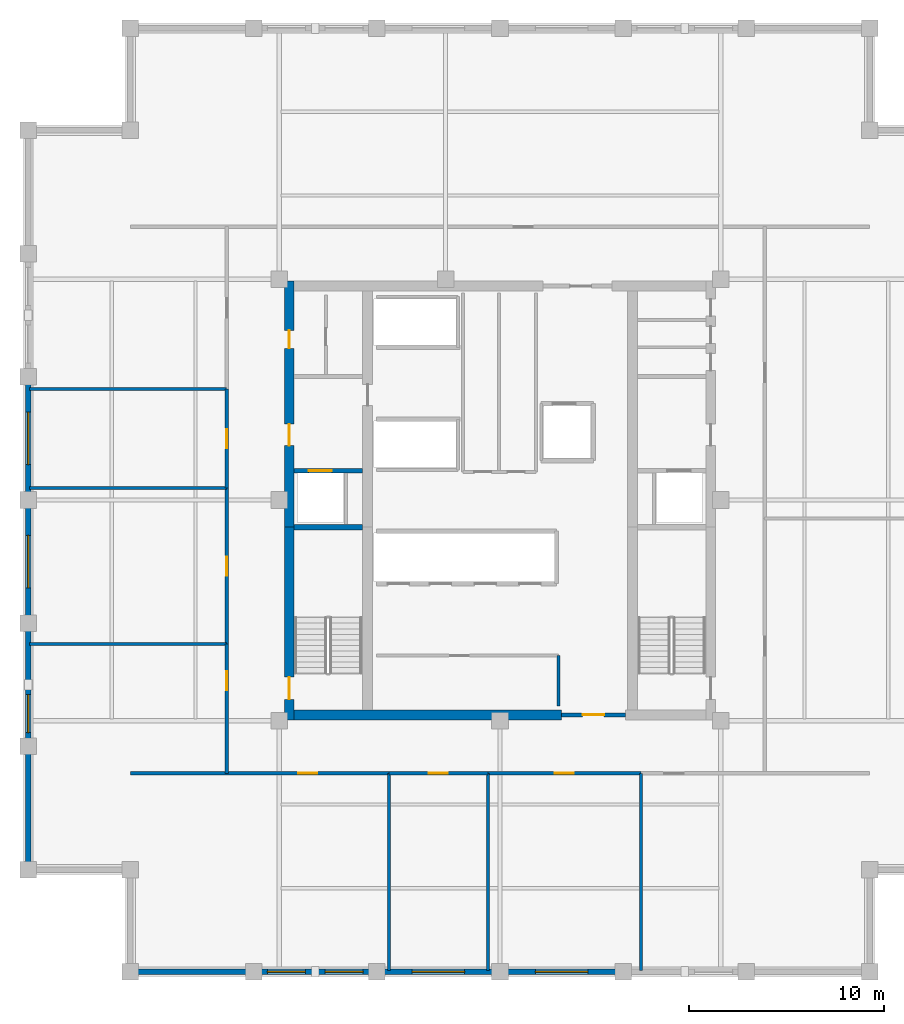
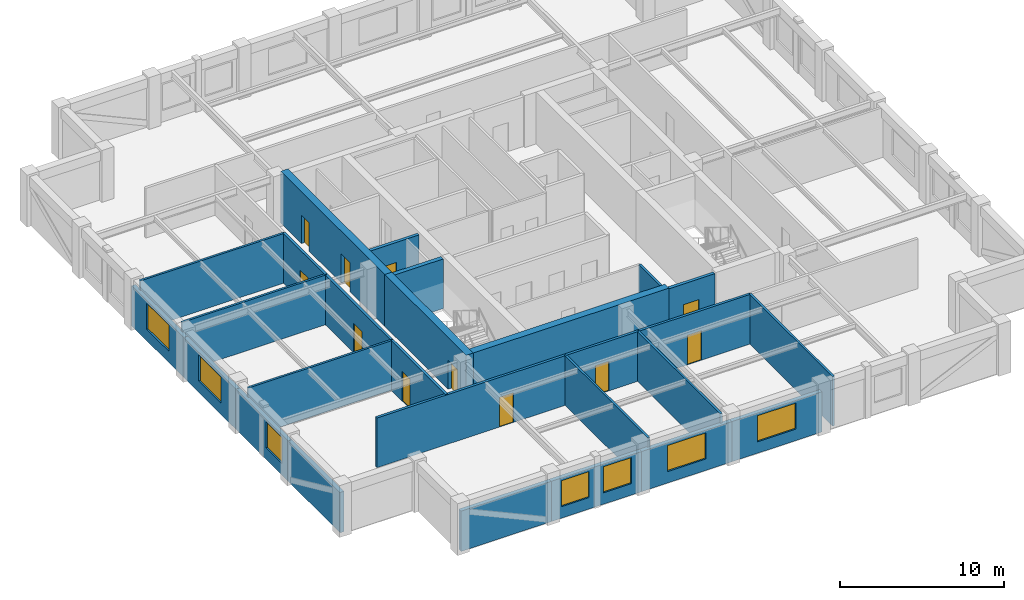
# One storey, part 2 of 6: 27 walls, 11 doors, 7 windows, 18 openings.
"""IFC4 building model written with IfcOpenShell, lengths in metres."""

from ifc_helpers import new_model, si_unit, direction, frame, frame_2d, origin, place, context, subcontext, project, spatial, rectangle, extrude, material, layer, layer_set, type_object, element, fill, save


model = new_model("IFC4")

# Units and contexts
model_context = context("Model", 3, precision=1e-05, world=origin(), true_north=direction((0.0, 1.0)))
body_context = subcontext(model_context, "Body", "Model", "MODEL_VIEW")
ifc_project = project(units=[si_unit("LENGTHUNIT", "METRE"), si_unit("AREAUNIT", "SQUARE_METRE"), si_unit("VOLUMEUNIT", "CUBIC_METRE"), si_unit("PLANEANGLEUNIT", "RADIAN"), si_unit("MASSUNIT", "GRAM", prefix="KILO")], contexts=[model_context])

# Site, building, storey
site_placement = place(None, origin())
site = spatial("IfcSite", under=ifc_project, at=site_placement, CompositionType="ELEMENT")
building_placement = place(site_placement, origin())
building = spatial("IfcBuilding", under=site, at=building_placement, Name="Nhamokura Convention Tower", CompositionType="ELEMENT")
storey_placement = place(building_placement, frame((0.0, 0.0, 225.39990234375)))
storey = spatial("IfcBuildingStorey", under=building, at=storey_placement, Name="L55", CompositionType="ELEMENT", Elevation=225.39990234375)

# Wall
ifc_material_1 = material(Name="Bronze-pigmented precast concrete C45/55", Category="concrete")
ifc_layer_1 = layer(ifc_material_1, 0.280029296875)
ifc_layer_set_1 = layer_set([ifc_layer_1], Name="BronzePrecastSpandrel_280")
wall_type_1 = type_object("IfcWallType", Name="BronzePrecastSpandrel_280", PredefinedType="USERDEFINED", material=ifc_layer_set_1)
wall_1_placement = place(storey_placement, frame((19.333251953125, 7.75, 0.0), z_axis=(0.0, 0.0, 1.0), x_axis=(-1.0, 0.0, 0.0)))
element("IfcWall", 1, at=wall_1_placement, inside=storey, type_object=wall_type_1, Name="L55 Braced-Bay Precast Wall SOUTH 0", ObjectType="SPANDREL_WALL", PredefinedType="USERDEFINED", context=body_context, shape_type="SweptSolid", body=[
    extrude(rectangle(XDim=6.333251953125, YDim=0.280029296875, at=frame_2d((3.16650390625, 0.0))), origin(), (0.0, 0.0, 1.0), 2.985107421875),
])

# Wall, openings, windows
wall_2_placement = place(storey_placement, frame((25.666748046875, 7.75, 0.0), z_axis=(0.0, 0.0, 1.0), x_axis=(-1.0, 0.0, 0.0)))
wall_2 = element("IfcWall", 2, at=wall_2_placement, inside=storey, type_object=wall_type_1, Name="L55 Masonry-Frame Wall SOUTH 1", ObjectType="SPANDREL_WALL", PredefinedType="USERDEFINED", context=body_context, shape_type="SweptSolid", body=[
    extrude(rectangle(XDim=6.33349609375, YDim=0.280029296875, at=frame_2d((3.166748046875, 0.0))), origin(), (0.0, 0.0, 1.0), 2.985107421875),
])
opening_1_placement = place(wall_2_placement, frame((0.708251953125, 0.0, 0.85009765625)))
opening_1 = element("IfcOpeningElement", 3, at=opening_1_placement, cuts=wall_2, Name="Opening W-08", PredefinedType="OPENING", context=body_context, shape_type="SweptSolid", body=[
    extrude(rectangle(XDim=1.949951171875, YDim=1.93505859375, at=frame_2d((0.97509765625, 0.967529296875))), frame((0.0, 0.14990234375, 0.0), z_axis=(0.0, -1.0, 0.0), x_axis=(1.0, 0.0, 0.0)), (0.0, 0.0, 1.0), 0.300048828125),
])
opening_2_placement = place(wall_2_placement, frame((3.675048828125, 0.0, 0.85009765625)))
opening_2 = element("IfcOpeningElement", 4, at=opening_2_placement, cuts=wall_2, Name="Opening W-08", PredefinedType="OPENING", context=body_context, shape_type="SweptSolid", body=[
    extrude(rectangle(XDim=1.949951171875, YDim=1.93505859375, at=frame_2d((0.97509765625, 0.967529296875))), frame((0.0, 0.14990234375, 0.0), z_axis=(0.0, -1.0, 0.0), x_axis=(1.0, 0.0, 0.0)), (0.0, 0.0, 1.0), 0.300048828125),
])
ifc_material_2 = material(Name="Solar-control bronze low-E double glass", Category="glass")
window_type_1 = type_object("IfcWindowType", Name="OfficeModuleWindow_Z3_1950", PartitioningType="SINGLE_PANEL", PredefinedType="WINDOW", material=ifc_material_2)
window_1_placement = place(opening_1_placement, origin())
window_1 = element("IfcWindow", 5, at=window_1_placement, inside=storey, type_object=window_type_1, Name="L55 Facade Window SOUTH 1-1", OverallHeight=1.93505859375, OverallWidth=1.949951171875, PartitioningType="SINGLE_PANEL", PredefinedType="WINDOW", context=body_context, shape_type="SweptSolid", body=[
    extrude(rectangle(XDim=1.949951171875, YDim=1.93505859375, at=frame_2d((0.97509765625, 0.967529296875))), frame((0.0, 0.030029296875, 0.0), z_axis=(0.0, -1.0, 0.0), x_axis=(1.0, 0.0, 0.0)), (0.0, 0.0, 1.0), 0.06005859375),
])
fill(opening_1, window_1)
window_2_placement = place(opening_2_placement, origin())
window_2 = element("IfcWindow", 6, at=window_2_placement, inside=storey, type_object=window_type_1, Name="L55 Facade Window SOUTH 1-2", OverallHeight=1.93505859375, OverallWidth=1.949951171875, PartitioningType="SINGLE_PANEL", PredefinedType="WINDOW", context=body_context, shape_type="SweptSolid", body=[
    extrude(rectangle(XDim=1.949951171875, YDim=1.93505859375, at=frame_2d((0.97509765625, 0.967529296875))), frame((0.0, 0.030029296875, 0.0), z_axis=(0.0, -1.0, 0.0), x_axis=(1.0, 0.0, 0.0)), (0.0, 0.0, 1.0), 0.06005859375),
])
fill(opening_2, window_2)

# Wall, opening, window
wall_3_placement = place(storey_placement, frame((32.0, 7.75, 0.0), z_axis=(0.0, 0.0, 1.0), x_axis=(-1.0, 0.0, 0.0)))
wall_3 = element("IfcWall", 7, at=wall_3_placement, inside=storey, type_object=wall_type_1, Name="L55 Masonry-Frame Wall SOUTH 2", ObjectType="SPANDREL_WALL", PredefinedType="USERDEFINED", context=body_context, shape_type="SweptSolid", body=[
    extrude(rectangle(XDim=6.333251953125, YDim=0.280029296875, at=frame_2d((3.16650390625, 0.0))), origin(), (0.0, 0.0, 1.0), 2.985107421875),
])
opening_3_placement = place(wall_3_placement, frame((1.816650390625, 0.0, 0.85009765625)))
opening_3 = element("IfcOpeningElement", 8, at=opening_3_placement, cuts=wall_3, Name="Opening W-07", PredefinedType="OPENING", context=body_context, shape_type="SweptSolid", body=[
    extrude(rectangle(XDim=2.699951171875, YDim=1.93505859375, at=frame_2d((1.35009765625, 0.967529296875))), frame((0.0, 0.14990234375, 0.0), z_axis=(0.0, -1.0, 0.0), x_axis=(1.0, 0.0, 0.0)), (0.0, 0.0, 1.0), 0.300048828125),
])
ifc_material_3 = material(Name="Solar-control bronze low-E double glass", Category="glass")
window_type_2 = type_object("IfcWindowType", Name="OfficeModuleWindow_Z3_2700", PartitioningType="DOUBLE_PANEL_VERTICAL", PredefinedType="WINDOW", material=ifc_material_3)
window_3_placement = place(opening_3_placement, origin())
window_3 = element("IfcWindow", 9, at=window_3_placement, inside=storey, type_object=window_type_2, Name="L55 Facade Window SOUTH 2", OverallHeight=1.93505859375, OverallWidth=2.699951171875, PartitioningType="SINGLE_PANEL", PredefinedType="WINDOW", context=body_context, shape_type="SweptSolid", body=[
    extrude(rectangle(XDim=2.699951171875, YDim=1.93505859375, at=frame_2d((1.35009765625, 0.967529296875))), frame((0.0, 0.030029296875, 0.0), z_axis=(0.0, -1.0, 0.0), x_axis=(1.0, 0.0, 0.0)), (0.0, 0.0, 1.0), 0.06005859375),
])
fill(opening_3, window_3)

wall_4_placement = place(storey_placement, frame((38.333251953125, 7.75, 0.0), z_axis=(0.0, 0.0, 1.0), x_axis=(-1.0, 0.0, 0.0)))
wall_4 = element("IfcWall", 10, at=wall_4_placement, inside=storey, type_object=wall_type_1, Name="L55 Masonry-Frame Wall SOUTH 3", ObjectType="SPANDREL_WALL", PredefinedType="USERDEFINED", context=body_context, shape_type="SweptSolid", body=[
    extrude(rectangle(XDim=6.333251953125, YDim=0.280029296875, at=frame_2d((3.16650390625, 0.0))), origin(), (0.0, 0.0, 1.0), 2.985107421875),
])
opening_4_placement = place(wall_4_placement, frame((1.816650390625, 0.0, 0.85009765625)))
opening_4 = element("IfcOpeningElement", 11, at=opening_4_placement, cuts=wall_4, Name="Opening W-07", PredefinedType="OPENING", context=body_context, shape_type="SweptSolid", body=[
    extrude(rectangle(XDim=2.699951171875, YDim=1.93505859375, at=frame_2d((1.35009765625, 0.967529296875))), frame((0.0, 0.14990234375, 0.0), z_axis=(0.0, -1.0, 0.0), x_axis=(1.0, 0.0, 0.0)), (0.0, 0.0, 1.0), 0.300048828125),
])
window_4_placement = place(opening_4_placement, origin())
window_4 = element("IfcWindow", 12, at=window_4_placement, inside=storey, type_object=window_type_2, Name="L55 Facade Window SOUTH 3", OverallHeight=1.93505859375, OverallWidth=2.699951171875, PartitioningType="SINGLE_PANEL", PredefinedType="WINDOW", context=body_context, shape_type="SweptSolid", body=[
    extrude(rectangle(XDim=2.699951171875, YDim=1.93505859375, at=frame_2d((1.35009765625, 0.967529296875))), frame((0.0, 0.030029296875, 0.0), z_axis=(0.0, -1.0, 0.0), x_axis=(1.0, 0.0, 0.0)), (0.0, 0.0, 1.0), 0.06005859375),
])
fill(opening_4, window_4)

# Wall
wall_5_placement = place(storey_placement, frame((7.75, 13.0, 0.0), z_axis=(0.0, 0.0, 1.0), x_axis=(0.0, 1.0, 0.0)))
element("IfcWall", 13, at=wall_5_placement, inside=storey, type_object=wall_type_1, Name="L55 Braced-Bay Precast Wall WEST 0", ObjectType="SPANDREL_WALL", PredefinedType="USERDEFINED", context=body_context, shape_type="SweptSolid", body=[
    extrude(rectangle(XDim=6.333251953125, YDim=0.280029296875, at=frame_2d((3.16650390625, 0.0))), origin(), (0.0, 0.0, 1.0), 2.985107421875),
])

# Wall, opening, window
wall_6_placement = place(storey_placement, frame((7.75, 19.333251953125, 0.0), z_axis=(0.0, 0.0, 1.0), x_axis=(0.0, 1.0, 0.0)))
wall_6 = element("IfcWall", 14, at=wall_6_placement, inside=storey, type_object=wall_type_1, Name="L55 Masonry-Frame Wall WEST 1", ObjectType="SPANDREL_WALL", PredefinedType="USERDEFINED", context=body_context, shape_type="SweptSolid", body=[
    extrude(rectangle(XDim=6.33349609375, YDim=0.280029296875, at=frame_2d((3.166748046875, 0.0))), origin(), (0.0, 0.0, 1.0), 2.985107421875),
])
opening_5_placement = place(wall_6_placement, frame((0.708251953125, 0.0, 0.85009765625)))
opening_5 = element("IfcOpeningElement", 15, at=opening_5_placement, cuts=wall_6, Name="Opening W-08", PredefinedType="OPENING", context=body_context, shape_type="SweptSolid", body=[
    extrude(rectangle(XDim=1.949951171875, YDim=1.93505859375, at=frame_2d((0.97509765625, 0.967529296875))), frame((0.0, 0.14990234375, 0.0), z_axis=(0.0, -1.0, 0.0), x_axis=(1.0, 0.0, 0.0)), (0.0, 0.0, 1.0), 0.300048828125),
])
window_5_placement = place(opening_5_placement, origin())
window_5 = element("IfcWindow", 16, at=window_5_placement, inside=storey, type_object=window_type_1, Name="L55 Facade Window WEST 1-1", OverallHeight=1.93505859375, OverallWidth=1.949951171875, PartitioningType="SINGLE_PANEL", PredefinedType="WINDOW", context=body_context, shape_type="SweptSolid", body=[
    extrude(rectangle(XDim=1.949951171875, YDim=1.93505859375, at=frame_2d((0.97509765625, 0.967529296875))), frame((0.0, 0.030029296875, 0.0), z_axis=(0.0, -1.0, 0.0), x_axis=(1.0, 0.0, 0.0)), (0.0, 0.0, 1.0), 0.06005859375),
])
fill(opening_5, window_5)

wall_7_placement = place(storey_placement, frame((7.75, 25.666748046875, 0.0), z_axis=(0.0, 0.0, 1.0), x_axis=(0.0, 1.0, 0.0)))
wall_7 = element("IfcWall", 17, at=wall_7_placement, inside=storey, type_object=wall_type_1, Name="L55 Masonry-Frame Wall WEST 2", ObjectType="SPANDREL_WALL", PredefinedType="USERDEFINED", context=body_context, shape_type="SweptSolid", body=[
    extrude(rectangle(XDim=6.333251953125, YDim=0.280029296875, at=frame_2d((3.16650390625, 0.0))), origin(), (0.0, 0.0, 1.0), 2.985107421875),
])
opening_6_placement = place(wall_7_placement, frame((1.816650390625, 0.0, 0.85009765625)))
opening_6 = element("IfcOpeningElement", 18, at=opening_6_placement, cuts=wall_7, Name="Opening W-07", PredefinedType="OPENING", context=body_context, shape_type="SweptSolid", body=[
    extrude(rectangle(XDim=2.699951171875, YDim=1.93505859375, at=frame_2d((1.35009765625, 0.967529296875))), frame((0.0, 0.14990234375, 0.0), z_axis=(0.0, -1.0, 0.0), x_axis=(1.0, 0.0, 0.0)), (0.0, 0.0, 1.0), 0.300048828125),
])
window_6_placement = place(opening_6_placement, origin())
window_6 = element("IfcWindow", 19, at=window_6_placement, inside=storey, type_object=window_type_2, Name="L55 Facade Window WEST 2", OverallHeight=1.93505859375, OverallWidth=2.699951171875, PartitioningType="SINGLE_PANEL", PredefinedType="WINDOW", context=body_context, shape_type="SweptSolid", body=[
    extrude(rectangle(XDim=2.699951171875, YDim=1.93505859375, at=frame_2d((1.35009765625, 0.967529296875))), frame((0.0, 0.030029296875, 0.0), z_axis=(0.0, -1.0, 0.0), x_axis=(1.0, 0.0, 0.0)), (0.0, 0.0, 1.0), 0.06005859375),
])
fill(opening_6, window_6)

wall_8_placement = place(storey_placement, frame((7.75, 32.0, 0.0), z_axis=(0.0, 0.0, 1.0), x_axis=(0.0, 1.0, 0.0)))
wall_8 = element("IfcWall", 20, at=wall_8_placement, inside=storey, type_object=wall_type_1, Name="L55 Masonry-Frame Wall WEST 3", ObjectType="SPANDREL_WALL", PredefinedType="USERDEFINED", context=body_context, shape_type="SweptSolid", body=[
    extrude(rectangle(XDim=6.333251953125, YDim=0.280029296875, at=frame_2d((3.16650390625, 0.0))), origin(), (0.0, 0.0, 1.0), 2.985107421875),
])
opening_7_placement = place(wall_8_placement, frame((1.816650390625, 0.0, 0.85009765625)))
opening_7 = element("IfcOpeningElement", 21, at=opening_7_placement, cuts=wall_8, Name="Opening W-07", PredefinedType="OPENING", context=body_context, shape_type="SweptSolid", body=[
    extrude(rectangle(XDim=2.699951171875, YDim=1.93505859375, at=frame_2d((1.35009765625, 0.967529296875))), frame((0.0, 0.14990234375, 0.0), z_axis=(0.0, -1.0, 0.0), x_axis=(1.0, 0.0, 0.0)), (0.0, 0.0, 1.0), 0.300048828125),
])
window_7_placement = place(opening_7_placement, origin())
window_7 = element("IfcWindow", 22, at=window_7_placement, inside=storey, type_object=window_type_2, Name="L55 Facade Window WEST 3", OverallHeight=1.93505859375, OverallWidth=2.699951171875, PartitioningType="SINGLE_PANEL", PredefinedType="WINDOW", context=body_context, shape_type="SweptSolid", body=[
    extrude(rectangle(XDim=2.699951171875, YDim=1.93505859375, at=frame_2d((1.35009765625, 0.967529296875))), frame((0.0, 0.030029296875, 0.0), z_axis=(0.0, -1.0, 0.0), x_axis=(1.0, 0.0, 0.0)), (0.0, 0.0, 1.0), 0.06005859375),
])
fill(opening_7, window_7)

# Wall, opening, door
ifc_material_4 = material(Name="Concrete C60/75", Category="concrete")
ifc_layer_2 = layer(ifc_material_4, 0.5)
ifc_layer_set_2 = layer_set([ifc_layer_2], Name="CoreShearWall_500")
wall_type_2 = type_object("IfcWallType", Name="CoreShearWall_500", PredefinedType="SHEAR", material=ifc_layer_set_2)
wall_9_placement = place(storey_placement, frame((21.159912109375, 20.699951171875, 0.0), z_axis=(0.0, 0.0, 1.0), x_axis=(0.0, 1.0, 0.0)))
wall_9 = element("IfcWall", 23, at=wall_9_placement, inside=storey, type_object=wall_type_2, Name="L55 Core Shear Wall CW-WS", PredefinedType="SHEAR", context=body_context, shape_type="SweptSolid", body=[
    extrude(rectangle(XDim=9.900146484375, YDim=0.5, at=frame_2d((4.9501953125, 0.0))), origin(), (0.0, 0.0, 1.0), 3.85009765625),
])
opening_8_placement = place(wall_9_placement, frame((1.050048828125, 0.0, 0.0)))
opening_8 = element("IfcOpeningElement", 24, at=opening_8_placement, cuts=wall_9, Name="Opening D-04", PredefinedType="OPENING", context=body_context, shape_type="SweptSolid", body=[
    extrude(rectangle(XDim=1.14990234375, YDim=2.14990234375, at=frame_2d((0.574951171875, 1.074951171875))), frame((0.0, 0.260009765625, 0.0), z_axis=(0.0, -1.0, 0.0), x_axis=(1.0, 0.0, 0.0)), (0.0, 0.0, 1.0), 0.52001953125),
])
ifc_material_5 = material(Name="Fire-rated steel door", Category="steel")
door_type_1 = type_object("IfcDoorType", Name="StairSmokeDoor_1150", OperationType="NOTDEFINED", PredefinedType="DOOR", material=ifc_material_5)
door_1_placement = place(opening_8_placement, origin())
door_1 = element("IfcDoor", 25, at=door_1_placement, inside=storey, type_object=door_type_1, Name="L55 Core Door INT-L55-D-ST01", OperationType="SINGLE_SWING_LEFT", OverallHeight=2.14990234375, OverallWidth=1.14990234375, PredefinedType="DOOR", context=body_context, shape_type="SweptSolid", body=[
    extrude(rectangle(XDim=1.14990234375, YDim=2.14990234375, at=frame_2d((0.574951171875, 1.074951171875))), frame((0.0, 0.02490234375, 0.0), z_axis=(0.0, -1.0, 0.0), x_axis=(1.0, 0.0, 0.0)), (0.0, 0.0, 1.0), 0.050048828125),
])
fill(opening_8, door_1)

# Wall, openings, doors
wall_10_placement = place(storey_placement, frame((21.159912109375, 30.60009765625, 0.0), z_axis=(0.0, 0.0, 1.0), x_axis=(0.0, 1.0, 0.0)))
wall_10 = element("IfcWall", 26, at=wall_10_placement, inside=storey, type_object=wall_type_2, Name="L55 Core Shear Wall CW-WN", PredefinedType="SHEAR", context=body_context, shape_type="SweptSolid", body=[
    extrude(rectangle(XDim=12.64990234375, YDim=0.5, at=frame_2d((6.324951171875, 0.0))), origin(), (0.0, 0.0, 1.0), 3.85009765625),
])
opening_9_placement = place(wall_10_placement, frame((4.199951171875, 0.0, 0.0)))
opening_9 = element("IfcOpeningElement", 27, at=opening_9_placement, cuts=wall_10, Name="Opening D-05", PredefinedType="OPENING", context=body_context, shape_type="SweptSolid", body=[
    extrude(rectangle(XDim=1.10009765625, YDim=2.14990234375, at=frame_2d((0.550048828125, 1.074951171875))), frame((0.0, 0.260009765625, 0.0), z_axis=(0.0, -1.0, 0.0), x_axis=(1.0, 0.0, 0.0)), (0.0, 0.0, 1.0), 0.52001953125),
])
opening_10_placement = place(wall_10_placement, frame((9.199951171875, 0.0, 0.0)))
opening_10 = element("IfcOpeningElement", 28, at=opening_10_placement, cuts=wall_10, Name="Opening D-10", PredefinedType="OPENING", context=body_context, shape_type="SweptSolid", body=[
    extrude(rectangle(XDim=0.919921875, YDim=2.10009765625, at=frame_2d((0.4599609375, 1.050048828125))), frame((0.0, 0.260009765625, 0.0), z_axis=(0.0, -1.0, 0.0), x_axis=(1.0, 0.0, 0.0)), (0.0, 0.0, 1.0), 0.52001953125),
])
ifc_material_6 = material(Name="Solid oak hardwood", Category="wood")
door_type_2 = type_object("IfcDoorType", Name="AccessibleWCDoor_920", OperationType="NOTDEFINED", PredefinedType="DOOR", material=ifc_material_6)
door_2_placement = place(opening_10_placement, origin())
door_2 = element("IfcDoor", 29, at=door_2_placement, inside=storey, type_object=door_type_2, Name="L55 Core Door INT-L55-D-AWCW", OperationType="SINGLE_SWING_RIGHT", OverallHeight=2.10009765625, OverallWidth=0.919921875, PredefinedType="DOOR", context=body_context, shape_type="SweptSolid", body=[
    extrude(rectangle(XDim=0.919921875, YDim=2.10009765625, at=frame_2d((0.4599609375, 1.050048828125))), frame((0.0, 0.02490234375, 0.0), z_axis=(0.0, -1.0, 0.0), x_axis=(1.0, 0.0, 0.0)), (0.0, 0.0, 1.0), 0.050048828125),
])
fill(opening_10, door_2)
ifc_material_7 = material(Name="Fire-rated steel door", Category="steel")
door_type_3 = type_object("IfcDoorType", Name="FireLobbyDoor_1100", OperationType="NOTDEFINED", PredefinedType="DOOR", material=ifc_material_7)
door_3_placement = place(opening_9_placement, origin())
door_3 = element("IfcDoor", 30, at=door_3_placement, inside=storey, type_object=door_type_3, Name="L55 Core Door INT-L55-D-FFLW", OperationType="SINGLE_SWING_RIGHT", OverallHeight=2.14990234375, OverallWidth=1.10009765625, PredefinedType="DOOR", context=body_context, shape_type="SweptSolid", body=[
    extrude(rectangle(XDim=1.10009765625, YDim=2.14990234375, at=frame_2d((0.550048828125, 1.074951171875))), frame((0.0, 0.02490234375, 0.0), z_axis=(0.0, -1.0, 0.0), x_axis=(1.0, 0.0, 0.0)), (0.0, 0.0, 1.0), 0.050048828125),
])
fill(opening_9, door_3)

# Wall
wall_11_placement = place(storey_placement, frame((21.409912109375, 20.949951171875, 0.0), z_axis=(0.0, 0.0, 1.0), x_axis=(1.0, 0.0, 0.0)))
element("IfcWall", 31, at=wall_11_placement, inside=storey, type_object=wall_type_2, Name="L55 Core Shear Wall CW-S1", PredefinedType="SHEAR", context=body_context, shape_type="SweptSolid", body=[
    extrude(rectangle(XDim=13.739990234375, YDim=0.5, at=frame_2d((6.8701171875, 0.0))), origin(), (0.0, 0.0, 1.0), 3.85009765625),
])

# Wall, opening, door
ifc_material_8 = material(Name="Fire-rated gypsum and masonry partition", Category="masonry")
ifc_layer_3 = layer(ifc_material_8, 0.179931640625)
ifc_layer_set_3 = layer_set([ifc_layer_3], Name="CorridorRatedWall_180")
wall_type_3 = type_object("IfcWallType", Name="CorridorRatedWall_180", PredefinedType="STANDARD", material=ifc_layer_set_3)
wall_12_placement = place(storey_placement, frame((13.0, 17.949951171875, 0.0), z_axis=(0.0, 0.0, 1.0), x_axis=(1.0, 0.0, 0.0)))
wall_12 = element("IfcWall", 32, at=wall_12_placement, inside=storey, type_object=wall_type_3, Name="L55 Wall INT-L55-CW-S00", PredefinedType="STANDARD", context=body_context, shape_type="SweptSolid", body=[
    extrude(rectangle(XDim=13.291748046875, YDim=0.179931640625, at=frame_2d((6.64599609375, 0.0))), origin(), (0.0, 0.0, 1.0), 3.68505859375),
])
opening_11_placement = place(wall_12_placement, frame((8.620849609375, 0.0, 0.0)))
opening_11 = element("IfcOpeningElement", 33, at=opening_11_placement, cuts=wall_12, Name="Opening D-08", PredefinedType="OPENING", context=body_context, shape_type="SweptSolid", body=[
    extrude(rectangle(XDim=0.97998046875, YDim=2.199951171875, at=frame_2d((0.489990234375, 1.10009765625))), frame((0.0, 0.099853515625, 0.0), z_axis=(0.0, -1.0, 0.0), x_axis=(1.0, 0.0, 0.0)), (0.0, 0.0, 1.0), 0.199951171875),
])
ifc_material_9 = material(Name="Solid oak hardwood", Category="wood")
door_type_4 = type_object("IfcDoorType", Name="OfficeEntryDoor_980", OperationType="NOTDEFINED", PredefinedType="DOOR", material=ifc_material_9)
door_4_placement = place(opening_11_placement, origin())
door_4 = element("IfcDoor", 34, at=door_4_placement, inside=storey, type_object=door_type_4, Name="L55 Executive Suite S01 Door", OperationType="SINGLE_SWING_LEFT", OverallHeight=2.199951171875, OverallWidth=0.97998046875, PredefinedType="DOOR", context=body_context, shape_type="SweptSolid", body=[
    extrude(rectangle(XDim=0.97998046875, YDim=2.199951171875, at=frame_2d((0.489990234375, 1.10009765625))), frame((0.0, 0.02490234375, 0.0), z_axis=(0.0, -1.0, 0.0), x_axis=(1.0, 0.0, 0.0)), (0.0, 0.0, 1.0), 0.050048828125),
])
fill(opening_11, door_4)

wall_13_placement = place(storey_placement, frame((26.291748046875, 17.949951171875, 0.0), z_axis=(0.0, 0.0, 1.0), x_axis=(1.0, 0.0, 0.0)))
wall_13 = element("IfcWall", 35, at=wall_13_placement, inside=storey, type_object=wall_type_3, Name="L55 Wall INT-L55-CW-S01", PredefinedType="STANDARD", context=body_context, shape_type="SweptSolid", body=[
    extrude(rectangle(XDim=5.083251953125, YDim=0.179931640625, at=frame_2d((2.54150390625, 0.0))), origin(), (0.0, 0.0, 1.0), 3.68505859375),
])
opening_12_placement = place(wall_13_placement, frame((2.041748046875, 0.0, 0.0)))
opening_12 = element("IfcOpeningElement", 36, at=opening_12_placement, cuts=wall_13, Name="Opening D-08", PredefinedType="OPENING", context=body_context, shape_type="SweptSolid", body=[
    extrude(rectangle(XDim=0.97998046875, YDim=2.199951171875, at=frame_2d((0.489990234375, 1.10009765625))), frame((0.0, 0.099853515625, 0.0), z_axis=(0.0, -1.0, 0.0), x_axis=(1.0, 0.0, 0.0)), (0.0, 0.0, 1.0), 0.199951171875),
])
door_5_placement = place(opening_12_placement, origin())
door_5 = element("IfcDoor", 37, at=door_5_placement, inside=storey, type_object=door_type_4, Name="L55 Executive Suite S02 Door", OperationType="SINGLE_SWING_RIGHT", OverallHeight=2.199951171875, OverallWidth=0.97998046875, PredefinedType="DOOR", context=body_context, shape_type="SweptSolid", body=[
    extrude(rectangle(XDim=0.97998046875, YDim=2.199951171875, at=frame_2d((0.489990234375, 1.10009765625))), frame((0.0, 0.02490234375, 0.0), z_axis=(0.0, -1.0, 0.0), x_axis=(1.0, 0.0, 0.0)), (0.0, 0.0, 1.0), 0.050048828125),
])
fill(opening_12, door_5)

wall_14_placement = place(storey_placement, frame((31.375, 17.949951171875, 0.0), z_axis=(0.0, 0.0, 1.0), x_axis=(1.0, 0.0, 0.0)))
wall_14 = element("IfcWall", 38, at=wall_14_placement, inside=storey, type_object=wall_type_3, Name="L55 Wall INT-L55-CW-S02", PredefinedType="STANDARD", context=body_context, shape_type="SweptSolid", body=[
    extrude(rectangle(XDim=7.88330078125, YDim=0.179931640625, at=frame_2d((3.941650390625, 0.0))), origin(), (0.0, 0.0, 1.0), 3.68505859375),
])
opening_13_placement = place(wall_14_placement, frame((3.441650390625, 0.0, 0.0)))
opening_13 = element("IfcOpeningElement", 39, at=opening_13_placement, cuts=wall_14, Name="Opening D-08", PredefinedType="OPENING", context=body_context, shape_type="SweptSolid", body=[
    extrude(rectangle(XDim=0.97998046875, YDim=2.199951171875, at=frame_2d((0.489990234375, 1.10009765625))), frame((0.0, 0.099853515625, 0.0), z_axis=(0.0, -1.0, 0.0), x_axis=(1.0, 0.0, 0.0)), (0.0, 0.0, 1.0), 0.199951171875),
])
door_6_placement = place(opening_13_placement, origin())
door_6 = element("IfcDoor", 40, at=door_6_placement, inside=storey, type_object=door_type_4, Name="L55 Private Dining Room S03 Door", OperationType="SINGLE_SWING_LEFT", OverallHeight=2.199951171875, OverallWidth=0.97998046875, PredefinedType="DOOR", context=body_context, shape_type="SweptSolid", body=[
    extrude(rectangle(XDim=0.97998046875, YDim=2.199951171875, at=frame_2d((0.489990234375, 1.10009765625))), frame((0.0, 0.02490234375, 0.0), z_axis=(0.0, -1.0, 0.0), x_axis=(1.0, 0.0, 0.0)), (0.0, 0.0, 1.0), 0.050048828125),
])
fill(opening_13, door_6)

wall_15_placement = place(storey_placement, frame((17.949951171875, 17.949951171875, 0.0), z_axis=(0.0, 0.0, 1.0), x_axis=(0.0, 1.0, 0.0)))
wall_15 = element("IfcWall", 41, at=wall_15_placement, inside=storey, type_object=wall_type_3, Name="L55 Wall INT-L55-CW-W00", PredefinedType="STANDARD", context=body_context, shape_type="SweptSolid", body=[
    extrude(rectangle(XDim=6.641845703125, YDim=0.179931640625, at=frame_2d((3.32080078125, 0.0))), origin(), (0.0, 0.0, 1.0), 3.68505859375),
])
opening_14_placement = place(wall_15_placement, frame((4.270751953125, 0.0, 0.0)))
opening_14 = element("IfcOpeningElement", 42, at=opening_14_placement, cuts=wall_15, Name="Opening D-08", PredefinedType="OPENING", context=body_context, shape_type="SweptSolid", body=[
    extrude(rectangle(XDim=0.97998046875, YDim=2.199951171875, at=frame_2d((0.489990234375, 1.10009765625))), frame((0.0, 0.099853515625, 0.0), z_axis=(0.0, -1.0, 0.0), x_axis=(1.0, 0.0, 0.0)), (0.0, 0.0, 1.0), 0.199951171875),
])
door_7_placement = place(opening_14_placement, origin())
door_7 = element("IfcDoor", 43, at=door_7_placement, inside=storey, type_object=door_type_4, Name="L55 Kitchen W01 Door", OperationType="SINGLE_SWING_LEFT", OverallHeight=2.199951171875, OverallWidth=0.97998046875, PredefinedType="DOOR", context=body_context, shape_type="SweptSolid", body=[
    extrude(rectangle(XDim=0.97998046875, YDim=2.199951171875, at=frame_2d((0.489990234375, 1.10009765625))), frame((0.0, 0.02490234375, 0.0), z_axis=(0.0, -1.0, 0.0), x_axis=(1.0, 0.0, 0.0)), (0.0, 0.0, 1.0), 0.050048828125),
])
fill(opening_14, door_7)

wall_16_placement = place(storey_placement, frame((17.949951171875, 24.591796875, 0.0), z_axis=(0.0, 0.0, 1.0), x_axis=(0.0, 1.0, 0.0)))
wall_16 = element("IfcWall", 44, at=wall_16_placement, inside=storey, type_object=wall_type_3, Name="L55 Wall INT-L55-CW-W01", PredefinedType="STANDARD", context=body_context, shape_type="SweptSolid", body=[
    extrude(rectangle(XDim=8.033203125, YDim=0.179931640625, at=frame_2d((4.0166015625, 0.0))), origin(), (0.0, 0.0, 1.0), 3.68505859375),
])
opening_15_placement = place(wall_16_placement, frame((3.5166015625, 0.0, 0.0)))
opening_15 = element("IfcOpeningElement", 45, at=opening_15_placement, cuts=wall_16, Name="Opening D-08", PredefinedType="OPENING", context=body_context, shape_type="SweptSolid", body=[
    extrude(rectangle(XDim=0.97998046875, YDim=2.199951171875, at=frame_2d((0.489990234375, 1.10009765625))), frame((0.0, 0.099853515625, 0.0), z_axis=(0.0, -1.0, 0.0), x_axis=(1.0, 0.0, 0.0)), (0.0, 0.0, 1.0), 0.199951171875),
])
door_8_placement = place(opening_15_placement, origin())
door_8 = element("IfcDoor", 46, at=door_8_placement, inside=storey, type_object=door_type_4, Name="L55 Kitchen W02 Door", OperationType="SINGLE_SWING_RIGHT", OverallHeight=2.199951171875, OverallWidth=0.97998046875, PredefinedType="DOOR", context=body_context, shape_type="SweptSolid", body=[
    extrude(rectangle(XDim=0.97998046875, YDim=2.199951171875, at=frame_2d((0.489990234375, 1.10009765625))), frame((0.0, 0.02490234375, 0.0), z_axis=(0.0, -1.0, 0.0), x_axis=(1.0, 0.0, 0.0)), (0.0, 0.0, 1.0), 0.050048828125),
])
fill(opening_15, door_8)

wall_17_placement = place(storey_placement, frame((17.949951171875, 32.625, 0.0), z_axis=(0.0, 0.0, 1.0), x_axis=(0.0, 1.0, 0.0)))
wall_17 = element("IfcWall", 47, at=wall_17_placement, inside=storey, type_object=wall_type_3, Name="L55 Wall INT-L55-CW-W02", PredefinedType="STANDARD", context=body_context, shape_type="SweptSolid", body=[
    extrude(rectangle(XDim=5.083251953125, YDim=0.179931640625, at=frame_2d((2.54150390625, 0.0))), origin(), (0.0, 0.0, 1.0), 3.68505859375),
])
opening_16_placement = place(wall_17_placement, frame((2.041748046875, 0.0, 0.0)))
opening_16 = element("IfcOpeningElement", 48, at=opening_16_placement, cuts=wall_17, Name="Opening D-08", PredefinedType="OPENING", context=body_context, shape_type="SweptSolid", body=[
    extrude(rectangle(XDim=0.97998046875, YDim=2.199951171875, at=frame_2d((0.489990234375, 1.10009765625))), frame((0.0, 0.099853515625, 0.0), z_axis=(0.0, -1.0, 0.0), x_axis=(1.0, 0.0, 0.0)), (0.0, 0.0, 1.0), 0.199951171875),
])
door_9_placement = place(opening_16_placement, origin())
door_9 = element("IfcDoor", 49, at=door_9_placement, inside=storey, type_object=door_type_4, Name="L55 Private Office W03 Door", OperationType="SINGLE_SWING_LEFT", OverallHeight=2.199951171875, OverallWidth=0.97998046875, PredefinedType="DOOR", context=body_context, shape_type="SweptSolid", body=[
    extrude(rectangle(XDim=0.97998046875, YDim=2.199951171875, at=frame_2d((0.489990234375, 1.10009765625))), frame((0.0, 0.02490234375, 0.0), z_axis=(0.0, -1.0, 0.0), x_axis=(1.0, 0.0, 0.0)), (0.0, 0.0, 1.0), 0.050048828125),
])
fill(opening_16, door_9)

ifc_material_10 = material(Name="Autoclaved concrete blockwork", Category="masonry")
ifc_layer_4 = layer(ifc_material_10, 0.219970703125)
ifc_layer_set_4 = layer_set([ifc_layer_4], Name="FireLobbyWall_220")
wall_type_4 = type_object("IfcWallType", Name="FireLobbyWall_220", PredefinedType="STANDARD", material=ifc_layer_set_4)
wall_18_placement = place(storey_placement, frame((21.409912109375, 33.5, 0.0), z_axis=(0.0, 0.0, 1.0), x_axis=(1.0, 0.0, 0.0)))
wall_18 = element("IfcWall", 50, at=wall_18_placement, inside=storey, type_object=wall_type_4, Name="L55 Wall INT-L55-FFW-S", PredefinedType="STANDARD", context=body_context, shape_type="SweptSolid", body=[
    extrude(rectangle(XDim=3.530029296875, YDim=0.219970703125, at=frame_2d((1.76513671875, 0.0))), origin(), (0.0, 0.0, 1.0), 3.68505859375),
])
opening_17_placement = place(wall_18_placement, frame((0.75, 0.0, 0.0)))
opening_17 = element("IfcOpeningElement", 51, at=opening_17_placement, cuts=wall_18, Name="Opening LD-02", PredefinedType="OPENING", context=body_context, shape_type="SweptSolid", body=[
    extrude(rectangle(XDim=1.199951171875, YDim=2.199951171875, at=frame_2d((0.60009765625, 1.10009765625))), frame((0.0, 0.119873046875, 0.0), z_axis=(0.0, -1.0, 0.0), x_axis=(1.0, 0.0, 0.0)), (0.0, 0.0, 1.0), 0.239990234375),
])
ifc_material_11 = material(Name="Anodised bronze stainless steel", Category="steel")
door_type_5 = type_object("IfcDoorType", Name="LiftLandingDoor_FireService", OperationType="DOUBLE_DOOR_SLIDING", PredefinedType="DOOR", material=ifc_material_11)
door_10_placement = place(opening_17_placement, origin())
door_10 = element("IfcDoor", 52, at=door_10_placement, inside=storey, type_object=door_type_5, Name="L55 Firefighting Lift LF-01 Door", OperationType="DOUBLE_DOOR_SLIDING", OverallHeight=2.199951171875, OverallWidth=1.199951171875, PredefinedType="DOOR", context=body_context, shape_type="SweptSolid", body=[
    extrude(rectangle(XDim=1.199951171875, YDim=2.199951171875, at=frame_2d((0.60009765625, 1.10009765625))), frame((0.0, 0.02490234375, 0.0), z_axis=(0.0, -1.0, 0.0), x_axis=(1.0, 0.0, 0.0)), (0.0, 0.0, 1.0), 0.050048828125),
])
fill(opening_17, door_10)

wall_19_placement = place(storey_placement, frame((35.14990234375, 20.949951171875, 0.0), z_axis=(0.0, 0.0, 1.0), x_axis=(1.0, 0.0, 0.0)))
wall_19 = element("IfcWall", 53, at=wall_19_placement, inside=storey, type_object=wall_type_4, Name="L55 Wall INT-L55-SPORT-S", PredefinedType="STANDARD", context=body_context, shape_type="SweptSolid", body=[
    extrude(rectangle(XDim=3.300048828125, YDim=0.219970703125, at=frame_2d((1.64990234375, 0.0))), origin(), (0.0, 0.0, 1.0), 3.68505859375),
])
opening_18_placement = place(wall_19_placement, frame((1.10009765625, 0.0, 0.0)))
opening_18 = element("IfcOpeningElement", 54, at=opening_18_placement, cuts=wall_19, Name="Opening D-05", PredefinedType="OPENING", context=body_context, shape_type="SweptSolid", body=[
    extrude(rectangle(XDim=1.10009765625, YDim=2.14990234375, at=frame_2d((0.550048828125, 1.074951171875))), frame((0.0, 0.119873046875, 0.0), z_axis=(0.0, -1.0, 0.0), x_axis=(1.0, 0.0, 0.0)), (0.0, 0.0, 1.0), 0.239990234375),
])
door_11_placement = place(opening_18_placement, origin())
door_11 = element("IfcDoor", 55, at=door_11_placement, inside=storey, type_object=door_type_3, Name="L55 South Core Lobby Portal Door", OperationType="SINGLE_SWING_LEFT", OverallHeight=2.14990234375, OverallWidth=1.10009765625, PredefinedType="DOOR", context=body_context, shape_type="SweptSolid", body=[
    extrude(rectangle(XDim=1.10009765625, YDim=2.14990234375, at=frame_2d((0.550048828125, 1.074951171875))), frame((0.0, 0.02490234375, 0.0), z_axis=(0.0, -1.0, 0.0), x_axis=(1.0, 0.0, 0.0)), (0.0, 0.0, 1.0), 0.050048828125),
])
fill(opening_18, door_11)

# Walls
ifc_material_12 = material(Name="Acoustic gypsum stud partition", Category="masonry")
ifc_layer_5 = layer(ifc_material_12, 0.14990234375)
ifc_layer_set_5 = layer_set([ifc_layer_5], Name="InteriorPartition_150")
wall_type_5 = type_object("IfcWallType", Name="InteriorPartition_150", PredefinedType="STANDARD", material=ifc_layer_set_5)
wall_20_placement = place(storey_placement, frame((35.0, 21.39990234375, 0.0), z_axis=(0.0, 0.0, 1.0), x_axis=(0.0, 1.0, 0.0)))
element("IfcWall", 56, at=wall_20_placement, inside=storey, type_object=wall_type_5, Name="L55 Wall INT-L55-B1R-E", PredefinedType="STANDARD", context=body_context, shape_type="SweptSolid", body=[
    extrude(rectangle(XDim=2.60009765625, YDim=0.14990234375, at=frame_2d((1.300048828125, 0.0))), origin(), (0.0, 0.0, 1.0), 3.68505859375),
])
for number, where, z_axis, x_axis, name in (
    (57, (26.291748046875, 7.81005859375, 0.0), (0.0, 0.0, 1.0), (0.0, 1.0, 0.0), "L55 Wall INT-L55-RW-S01"),
    (58, (31.375, 7.81005859375, 0.0), (0.0, 0.0, 1.0), (0.0, 1.0, 0.0), "L55 Wall INT-L55-RW-S02"),
    (59, (39.25830078125, 7.81005859375, 0.0), (0.0, 0.0, 1.0), (0.0, 1.0, 0.0), "L55 Wall INT-L55-RW-S03"),
    (60, (7.81005859375, 24.591796875, 0.0), (0.0, 0.0, 1.0), (1.0, 0.0, 0.0), "L55 Wall INT-L55-RW-W01"),
    (61, (7.81005859375, 32.625, 0.0), (0.0, 0.0, 1.0), (1.0, 0.0, 0.0), "L55 Wall INT-L55-RW-W02"),
    (62, (7.81005859375, 37.708251953125, 0.0), (0.0, 0.0, 1.0), (1.0, 0.0, 0.0), "L55 Wall INT-L55-RW-W03"),
):
    element("IfcWall", number, at=place(storey_placement, frame(where, z_axis=z_axis, x_axis=x_axis)), inside=storey, type_object=wall_type_5, Name=name, PredefinedType="STANDARD", context=body_context, shape_type="SweptSolid", body=[
        extrude(rectangle(XDim=10.139892578125, YDim=0.14990234375, at=frame_2d((5.06982421875, 0.0))), origin(), (0.0, 0.0, 1.0), 3.68505859375),
    ])
ifc_material_13 = material(Name="Concrete C50/60", Category="concrete")
ifc_layer_6 = layer(ifc_material_13, 0.300048828125)
ifc_layer_set_6 = layer_set([ifc_layer_6], Name="ShaftEnclosureWall_300")
wall_type_6 = type_object("IfcWallType", Name="ShaftEnclosureWall_300", PredefinedType="SHEAR", material=ifc_layer_set_6)
wall_21_placement = place(storey_placement, frame((21.409912109375, 30.60009765625, 0.0), z_axis=(0.0, 0.0, 1.0), x_axis=(1.0, 0.0, 0.0)))
element("IfcWall", 63, at=wall_21_placement, inside=storey, type_object=wall_type_6, Name="L55 Wall INT-L55-ST01-N", PredefinedType="SHEAR", context=body_context, shape_type="SweptSolid", body=[
    extrude(rectangle(XDim=3.530029296875, YDim=0.300048828125, at=frame_2d((1.76513671875, 0.0))), origin(), (0.0, 0.0, 1.0), 3.68505859375),
])

save(model, "model.ifc")
